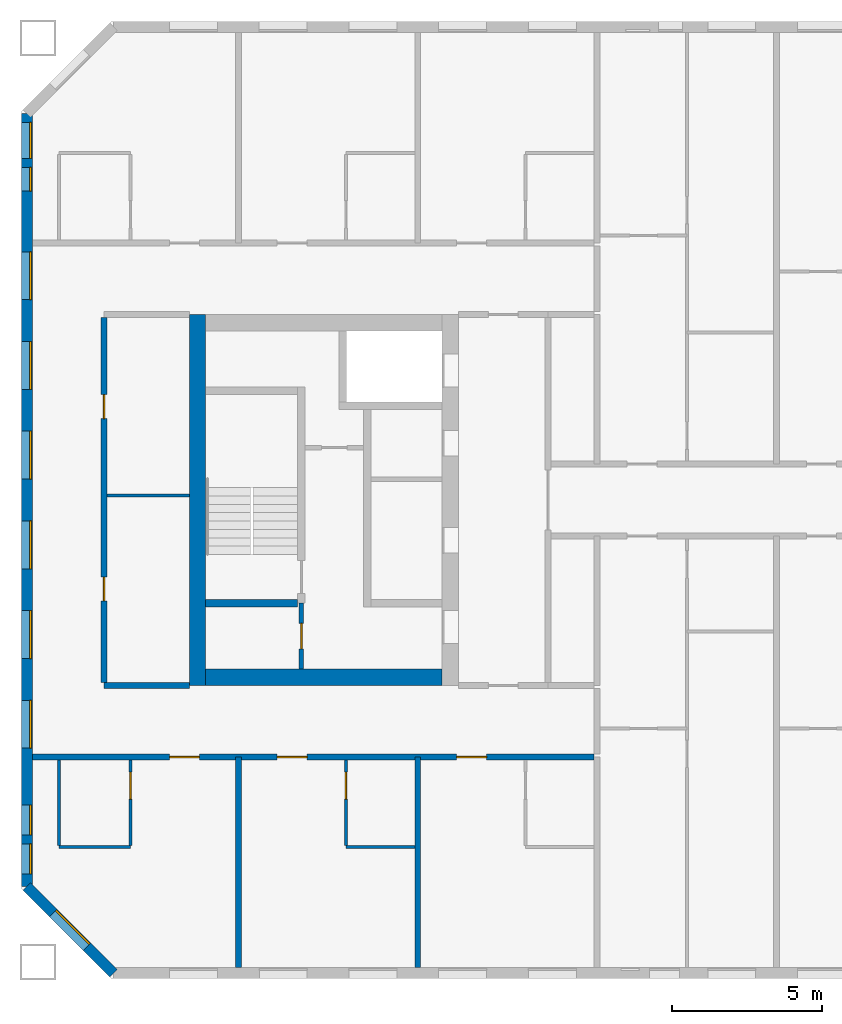
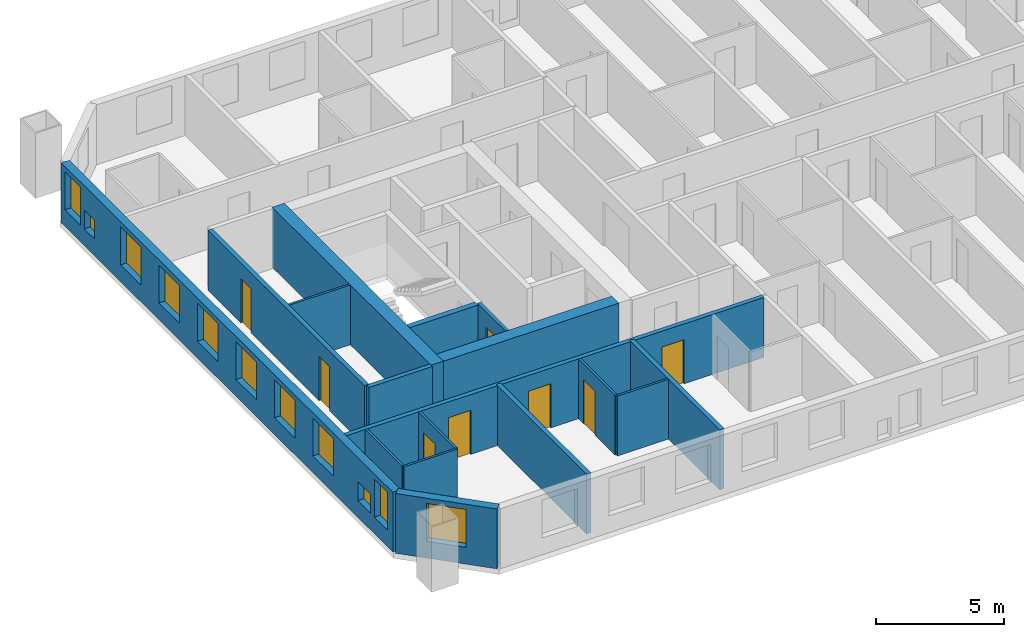
# One storey, part 2 of 16: 17 walls, 11 windows, 8 doors, 19 openings.
"""IFC4 building model written with IfcOpenShell, lengths in metres."""

from ifc_helpers import new_model, si_unit, direction, frame, frame_2d, origin, place, context, subcontext, project, spatial, rectangle, extrude, material, layer, layer_set, type_object, element, fill, save


model = new_model("IFC4")

# Units and contexts
model_context = context("Model", 3, precision=1e-05, world=origin(), true_north=direction((0.0, 1.0)))
body_context = subcontext(model_context, "Body", "Model", "MODEL_VIEW")
ifc_project = project(units=[si_unit("LENGTHUNIT", "METRE"), si_unit("AREAUNIT", "SQUARE_METRE"), si_unit("VOLUMEUNIT", "CUBIC_METRE"), si_unit("PLANEANGLEUNIT", "RADIAN"), si_unit("MASSUNIT", "GRAM", prefix="KILO")], contexts=[model_context])

# Site, building, storey
site_placement = place(None, origin())
site = spatial("IfcSite", under=ifc_project, at=site_placement, CompositionType="ELEMENT")
building_placement = place(site_placement, origin())
building = spatial("IfcBuilding", under=site, at=building_placement, Name="Tuart Gate Housing", CompositionType="ELEMENT")
storey_placement = place(building_placement, frame((0.0, 0.0, 136.10009765625)))
storey = spatial("IfcBuildingStorey", under=building, at=storey_placement, Name="L38", CompositionType="ELEMENT", Elevation=136.10009765625)

# Wall, opening, window
ifc_material_1 = material(Name="Brick", Category="masonry")
ifc_layer_1 = layer(ifc_material_1, 0.360107421875)
ifc_layer_set_1 = layer_set([ifc_layer_1], Name="Brick pier and spandrel wall 360")
wall_type_1 = type_object("IfcWallType", Name="Brick pier and spandrel wall 360", PredefinedType="STANDARD", material=ifc_layer_set_1)
wall_1_placement = place(storey_placement, frame((26.929931640625, 57.07470703125, 0.0), z_axis=(0.0, 0.0, 1.0), x_axis=(0.707106781187, -0.707106781187, 0.0)))
wall_1 = element("IfcWall", 1, at=wall_1_placement, inside=storey, type_object=wall_type_1, Name="External wall A-SW L38", PredefinedType="STANDARD", context=body_context, shape_type="SweptSolid", body=[
    extrude(rectangle(XDim=4.09375, YDim=0.360107421875, at=frame_2d((2.046875, 0.0))), origin(), (0.0, 0.0, 1.0), 2.849853515625),
])
opening_1_placement = place(wall_1_placement, frame((1.2470703125, 0.0, 0.800048828125)))
opening_1 = element("IfcOpeningElement", 2, at=opening_1_placement, cuts=wall_1, Name="Opening W1", PredefinedType="OPENING", context=body_context, shape_type="SweptSolid", body=[
    extrude(rectangle(XDim=1.60009765625, YDim=1.800048828125, at=frame_2d((0.800048828125, 0.89990234375))), frame((0.0, 0.18994140625, 0.0), z_axis=(0.0, -1.0, 0.0), x_axis=(1.0, 0.0, 0.0)), (0.0, 0.0, 1.0), 0.380126953125),
])
ifc_material_2 = material(Name="Aluminium frame with clear glass", Category="aluminium")
window_type_1 = type_object("IfcWindowType", Name="Punched window 1600 x 1800", PartitioningType="SINGLE_PANEL", PredefinedType="WINDOW", material=ifc_material_2)
window_1_placement = place(opening_1_placement, origin())
window_1 = element("IfcWindow", 3, at=window_1_placement, inside=storey, type_object=window_type_1, Name="Window W1", OverallHeight=1.800048828125, OverallWidth=1.60009765625, PartitioningType="SINGLE_PANEL", PredefinedType="WINDOW", context=body_context, shape_type="SweptSolid", body=[
    extrude(rectangle(XDim=1.60009765625, YDim=1.800048828125, at=frame_2d((0.800048828125, 0.89990234375))), frame((0.0, 0.150146484375, 0.0), z_axis=(0.0, -1.0, 0.0), x_axis=(1.0, 0.0, 0.0)), (0.0, 0.0, 1.0), 0.06005859375),
])
fill(opening_1, window_1)

# Wall, openings, windows
wall_2_placement = place(storey_placement, frame((26.929931640625, 82.92529296875, 0.0), z_axis=(0.0, 0.0, 1.0), x_axis=(0.0, -1.0, 0.0)))
wall_2 = element("IfcWall", 4, at=wall_2_placement, inside=storey, type_object=wall_type_1, Name="External wall A-W L38", PredefinedType="STANDARD", context=body_context, shape_type="SweptSolid", body=[
    extrude(rectangle(XDim=25.850830078125, YDim=0.360107421875, at=frame_2d((12.92529296875, 0.0))), origin(), (0.0, 0.0, 1.0), 2.849853515625),
])
opening_2_placement = place(wall_2_placement, frame((0.300048828125, 0.0, 0.800048828125)))
opening_2 = element("IfcOpeningElement", 5, at=opening_2_placement, cuts=wall_2, Name="Opening W1B", PredefinedType="OPENING", context=body_context, shape_type="SweptSolid", body=[
    extrude(rectangle(XDim=1.199951171875, YDim=1.800048828125, at=frame_2d((0.60009765625, 0.89990234375))), frame((0.0, 0.18994140625, 0.0), z_axis=(0.0, -1.0, 0.0), x_axis=(1.0, 0.0, 0.0)), (0.0, 0.0, 1.0), 0.380126953125),
])
opening_3_placement = place(wall_2_placement, frame((4.62548828125, 0.0, 0.800048828125)))
opening_3 = element("IfcOpeningElement", 6, at=opening_3_placement, cuts=wall_2, Name="Opening W1", PredefinedType="OPENING", context=body_context, shape_type="SweptSolid", body=[
    extrude(rectangle(XDim=1.60009765625, YDim=1.800048828125, at=frame_2d((0.800048828125, 0.89990234375))), frame((0.0, 0.18994140625, 0.0), z_axis=(0.0, -1.0, 0.0), x_axis=(1.0, 0.0, 0.0)), (0.0, 0.0, 1.0), 0.380126953125),
])
opening_4_placement = place(wall_2_placement, frame((7.62548828125, 0.0, 0.800048828125)))
opening_4 = element("IfcOpeningElement", 7, at=opening_4_placement, cuts=wall_2, Name="Opening W1", PredefinedType="OPENING", context=body_context, shape_type="SweptSolid", body=[
    extrude(rectangle(XDim=1.60009765625, YDim=1.800048828125, at=frame_2d((0.800048828125, 0.89990234375))), frame((0.0, 0.18994140625, 0.0), z_axis=(0.0, -1.0, 0.0), x_axis=(1.0, 0.0, 0.0)), (0.0, 0.0, 1.0), 0.380126953125),
])
opening_5_placement = place(wall_2_placement, frame((10.62548828125, 0.0, 0.800048828125)))
opening_5 = element("IfcOpeningElement", 8, at=opening_5_placement, cuts=wall_2, Name="Opening W1", PredefinedType="OPENING", context=body_context, shape_type="SweptSolid", body=[
    extrude(rectangle(XDim=1.60009765625, YDim=1.800048828125, at=frame_2d((0.800048828125, 0.89990234375))), frame((0.0, 0.18994140625, 0.0), z_axis=(0.0, -1.0, 0.0), x_axis=(1.0, 0.0, 0.0)), (0.0, 0.0, 1.0), 0.380126953125),
])
opening_6_placement = place(wall_2_placement, frame((13.62548828125, 0.0, 0.800048828125)))
opening_6 = element("IfcOpeningElement", 9, at=opening_6_placement, cuts=wall_2, Name="Opening W1", PredefinedType="OPENING", context=body_context, shape_type="SweptSolid", body=[
    extrude(rectangle(XDim=1.60009765625, YDim=1.800048828125, at=frame_2d((0.800048828125, 0.89990234375))), frame((0.0, 0.18994140625, 0.0), z_axis=(0.0, -1.0, 0.0), x_axis=(1.0, 0.0, 0.0)), (0.0, 0.0, 1.0), 0.380126953125),
])
opening_7_placement = place(wall_2_placement, frame((16.62548828125, 0.0, 0.800048828125)))
opening_7 = element("IfcOpeningElement", 10, at=opening_7_placement, cuts=wall_2, Name="Opening W1", PredefinedType="OPENING", context=body_context, shape_type="SweptSolid", body=[
    extrude(rectangle(XDim=1.60009765625, YDim=1.800048828125, at=frame_2d((0.800048828125, 0.89990234375))), frame((0.0, 0.18994140625, 0.0), z_axis=(0.0, -1.0, 0.0), x_axis=(1.0, 0.0, 0.0)), (0.0, 0.0, 1.0), 0.380126953125),
])
opening_8_placement = place(wall_2_placement, frame((19.62548828125, 0.0, 0.800048828125)))
opening_8 = element("IfcOpeningElement", 11, at=opening_8_placement, cuts=wall_2, Name="Opening W1", PredefinedType="OPENING", context=body_context, shape_type="SweptSolid", body=[
    extrude(rectangle(XDim=1.60009765625, YDim=1.800048828125, at=frame_2d((0.800048828125, 0.89990234375))), frame((0.0, 0.18994140625, 0.0), z_axis=(0.0, -1.0, 0.0), x_axis=(1.0, 0.0, 0.0)), (0.0, 0.0, 1.0), 0.380126953125),
])
opening_9_placement = place(wall_2_placement, frame((23.12548828125, 0.0, 0.800048828125)))
opening_9 = element("IfcOpeningElement", 12, at=opening_9_placement, cuts=wall_2, Name="Opening W1U", PredefinedType="OPENING", context=body_context, shape_type="SweptSolid", body=[
    extrude(rectangle(XDim=1.0, YDim=0.89990234375, at=frame_2d((0.5, 0.449951171875))), frame((0.0, 0.18994140625, 0.0), z_axis=(0.0, -1.0, 0.0), x_axis=(1.0, 0.0, 0.0)), (0.0, 0.0, 1.0), 0.380126953125),
])
opening_10_placement = place(wall_2_placement, frame((1.800048828125, 0.0, 0.800048828125)))
opening_10 = element("IfcOpeningElement", 13, at=opening_10_placement, cuts=wall_2, Name="Opening W1V", PredefinedType="OPENING", context=body_context, shape_type="SweptSolid", body=[
    extrude(rectangle(XDim=0.800048828125, YDim=0.89990234375, at=frame_2d((0.39990234375, 0.449951171875))), frame((0.0, 0.18994140625, 0.0), z_axis=(0.0, -1.0, 0.0), x_axis=(1.0, 0.0, 0.0)), (0.0, 0.0, 1.0), 0.380126953125),
])
opening_11_placement = place(wall_2_placement, frame((24.42529296875, 0.0, 0.800048828125)))
opening_11 = element("IfcOpeningElement", 14, at=opening_11_placement, cuts=wall_2, Name="Opening W1C", PredefinedType="OPENING", context=body_context, shape_type="SweptSolid", body=[
    extrude(rectangle(XDim=1.0, YDim=1.800048828125, at=frame_2d((0.5, 0.89990234375))), frame((0.0, 0.18994140625, 0.0), z_axis=(0.0, -1.0, 0.0), x_axis=(1.0, 0.0, 0.0)), (0.0, 0.0, 1.0), 0.380126953125),
])
ifc_material_3 = material(Name="Aluminium frame with clear glass", Category="aluminium")
window_type_2 = type_object("IfcWindowType", Name="Punched window 1000 x 1800", PartitioningType="SINGLE_PANEL", PredefinedType="WINDOW", material=ifc_material_3)
window_2_placement = place(opening_11_placement, origin())
window_2 = element("IfcWindow", 15, at=window_2_placement, inside=storey, type_object=window_type_2, Name="Window W1C", OverallHeight=1.800048828125, OverallWidth=1.0, PartitioningType="SINGLE_PANEL", PredefinedType="WINDOW", context=body_context, shape_type="SweptSolid", body=[
    extrude(rectangle(XDim=1.0, YDim=1.800048828125, at=frame_2d((0.5, 0.89990234375))), frame((0.0, 0.150146484375, 0.0), z_axis=(0.0, -1.0, 0.0), x_axis=(1.0, 0.0, 0.0)), (0.0, 0.0, 1.0), 0.06005859375),
])
fill(opening_11, window_2)
ifc_material_4 = material(Name="Aluminium frame with clear glass", Category="aluminium")
window_type_3 = type_object("IfcWindowType", Name="Punched window 1000 x 900", PartitioningType="SINGLE_PANEL", PredefinedType="WINDOW", material=ifc_material_4)
window_3_placement = place(opening_9_placement, origin())
window_3 = element("IfcWindow", 16, at=window_3_placement, inside=storey, type_object=window_type_3, Name="Window W1U", OverallHeight=0.89990234375, OverallWidth=1.0, PartitioningType="SINGLE_PANEL", PredefinedType="WINDOW", context=body_context, shape_type="SweptSolid", body=[
    extrude(rectangle(XDim=1.0, YDim=0.89990234375, at=frame_2d((0.5, 0.449951171875))), frame((0.0, 0.150146484375, 0.0), z_axis=(0.0, -1.0, 0.0), x_axis=(1.0, 0.0, 0.0)), (0.0, 0.0, 1.0), 0.06005859375),
])
fill(opening_9, window_3)
ifc_material_5 = material(Name="Aluminium frame with clear glass", Category="aluminium")
window_type_4 = type_object("IfcWindowType", Name="Punched window 1200 x 1800", PartitioningType="SINGLE_PANEL", PredefinedType="WINDOW", material=ifc_material_5)
window_4_placement = place(opening_2_placement, origin())
window_4 = element("IfcWindow", 17, at=window_4_placement, inside=storey, type_object=window_type_4, Name="Window W1B", OverallHeight=1.800048828125, OverallWidth=1.199951171875, PartitioningType="SINGLE_PANEL", PredefinedType="WINDOW", context=body_context, shape_type="SweptSolid", body=[
    extrude(rectangle(XDim=1.199951171875, YDim=1.800048828125, at=frame_2d((0.60009765625, 0.89990234375))), frame((0.0, 0.150146484375, 0.0), z_axis=(0.0, -1.0, 0.0), x_axis=(1.0, 0.0, 0.0)), (0.0, 0.0, 1.0), 0.06005859375),
])
fill(opening_2, window_4)
window_5_placement = place(opening_3_placement, origin())
window_5 = element("IfcWindow", 18, at=window_5_placement, inside=storey, type_object=window_type_1, Name="Window W1", OverallHeight=1.800048828125, OverallWidth=1.60009765625, PartitioningType="SINGLE_PANEL", PredefinedType="WINDOW", context=body_context, shape_type="SweptSolid", body=[
    extrude(rectangle(XDim=1.60009765625, YDim=1.800048828125, at=frame_2d((0.800048828125, 0.89990234375))), frame((0.0, 0.150146484375, 0.0), z_axis=(0.0, -1.0, 0.0), x_axis=(1.0, 0.0, 0.0)), (0.0, 0.0, 1.0), 0.06005859375),
])
fill(opening_3, window_5)
window_6_placement = place(opening_4_placement, origin())
window_6 = element("IfcWindow", 19, at=window_6_placement, inside=storey, type_object=window_type_1, Name="Window W1", OverallHeight=1.800048828125, OverallWidth=1.60009765625, PartitioningType="SINGLE_PANEL", PredefinedType="WINDOW", context=body_context, shape_type="SweptSolid", body=[
    extrude(rectangle(XDim=1.60009765625, YDim=1.800048828125, at=frame_2d((0.800048828125, 0.89990234375))), frame((0.0, 0.150146484375, 0.0), z_axis=(0.0, -1.0, 0.0), x_axis=(1.0, 0.0, 0.0)), (0.0, 0.0, 1.0), 0.06005859375),
])
fill(opening_4, window_6)
window_7_placement = place(opening_5_placement, origin())
window_7 = element("IfcWindow", 20, at=window_7_placement, inside=storey, type_object=window_type_1, Name="Window W1", OverallHeight=1.800048828125, OverallWidth=1.60009765625, PartitioningType="SINGLE_PANEL", PredefinedType="WINDOW", context=body_context, shape_type="SweptSolid", body=[
    extrude(rectangle(XDim=1.60009765625, YDim=1.800048828125, at=frame_2d((0.800048828125, 0.89990234375))), frame((0.0, 0.150146484375, 0.0), z_axis=(0.0, -1.0, 0.0), x_axis=(1.0, 0.0, 0.0)), (0.0, 0.0, 1.0), 0.06005859375),
])
fill(opening_5, window_7)
window_8_placement = place(opening_6_placement, origin())
window_8 = element("IfcWindow", 21, at=window_8_placement, inside=storey, type_object=window_type_1, Name="Window W1", OverallHeight=1.800048828125, OverallWidth=1.60009765625, PartitioningType="SINGLE_PANEL", PredefinedType="WINDOW", context=body_context, shape_type="SweptSolid", body=[
    extrude(rectangle(XDim=1.60009765625, YDim=1.800048828125, at=frame_2d((0.800048828125, 0.89990234375))), frame((0.0, 0.150146484375, 0.0), z_axis=(0.0, -1.0, 0.0), x_axis=(1.0, 0.0, 0.0)), (0.0, 0.0, 1.0), 0.06005859375),
])
fill(opening_6, window_8)
window_9_placement = place(opening_7_placement, origin())
window_9 = element("IfcWindow", 22, at=window_9_placement, inside=storey, type_object=window_type_1, Name="Window W1", OverallHeight=1.800048828125, OverallWidth=1.60009765625, PartitioningType="SINGLE_PANEL", PredefinedType="WINDOW", context=body_context, shape_type="SweptSolid", body=[
    extrude(rectangle(XDim=1.60009765625, YDim=1.800048828125, at=frame_2d((0.800048828125, 0.89990234375))), frame((0.0, 0.150146484375, 0.0), z_axis=(0.0, -1.0, 0.0), x_axis=(1.0, 0.0, 0.0)), (0.0, 0.0, 1.0), 0.06005859375),
])
fill(opening_7, window_9)
window_10_placement = place(opening_8_placement, origin())
window_10 = element("IfcWindow", 23, at=window_10_placement, inside=storey, type_object=window_type_1, Name="Window W1", OverallHeight=1.800048828125, OverallWidth=1.60009765625, PartitioningType="SINGLE_PANEL", PredefinedType="WINDOW", context=body_context, shape_type="SweptSolid", body=[
    extrude(rectangle(XDim=1.60009765625, YDim=1.800048828125, at=frame_2d((0.800048828125, 0.89990234375))), frame((0.0, 0.150146484375, 0.0), z_axis=(0.0, -1.0, 0.0), x_axis=(1.0, 0.0, 0.0)), (0.0, 0.0, 1.0), 0.06005859375),
])
fill(opening_8, window_10)
ifc_material_6 = material(Name="Aluminium frame with clear glass", Category="aluminium")
window_type_5 = type_object("IfcWindowType", Name="Punched window 800 x 900", PartitioningType="SINGLE_PANEL", PredefinedType="WINDOW", material=ifc_material_6)
window_11_placement = place(opening_10_placement, origin())
window_11 = element("IfcWindow", 24, at=window_11_placement, inside=storey, type_object=window_type_5, Name="Window W1V", OverallHeight=0.89990234375, OverallWidth=0.800048828125, PartitioningType="SINGLE_PANEL", PredefinedType="WINDOW", context=body_context, shape_type="SweptSolid", body=[
    extrude(rectangle(XDim=0.800048828125, YDim=0.89990234375, at=frame_2d((0.39990234375, 0.449951171875))), frame((0.0, 0.150146484375, 0.0), z_axis=(0.0, -1.0, 0.0), x_axis=(1.0, 0.0, 0.0)), (0.0, 0.0, 1.0), 0.06005859375),
])
fill(opening_10, window_11)

# Wall, opening, door
ifc_material_7 = material(Name="Plasterboard partition")
ifc_layer_2 = layer(ifc_material_7, 0.14990234375)
ifc_layer_set_2 = layer_set([ifc_layer_2], Name="Core partition 150")
wall_type_2 = type_object("IfcWallType", Name="Core partition 150", PredefinedType="PARTITIONING", material=ifc_layer_set_2)
wall_3_placement = place(storey_placement, frame((36.110107421875, 66.550048828125, 0.0), z_axis=(0.0, 0.0, 1.0), x_axis=(0.0, -1.0, 0.0)))
wall_3 = element("IfcWall", 25, at=wall_3_placement, inside=storey, type_object=wall_type_2, Name="Core partition AK.10", PredefinedType="PARTITIONING", context=body_context, shape_type="SweptSolid", body=[
    extrude(rectangle(XDim=2.199951171875, YDim=0.14990234375, at=frame_2d((1.10009765625, 0.0))), origin(), (0.0, 0.0, 1.0), 2.849853515625),
])
opening_12_placement = place(wall_3_placement, frame((0.675048828125, 0.0, 0.0)))
opening_12 = element("IfcOpeningElement", 26, at=opening_12_placement, cuts=wall_3, Name="Opening D1441", PredefinedType="OPENING", context=body_context, shape_type="SweptSolid", body=[
    extrude(rectangle(XDim=0.85009765625, YDim=2.10009765625, at=frame_2d((0.425048828125, 1.050048828125))), frame((0.0, 0.0849609375, 0.0), z_axis=(0.0, -1.0, 0.0), x_axis=(1.0, 0.0, 0.0)), (0.0, 0.0, 1.0), 0.169921875),
])
ifc_material_8 = material(Name="Steel fire door", Category="steel")
door_type_1 = type_object("IfcDoorType", Name="Service door 850 x 2100 RH", OperationType="SINGLE_SWING_RIGHT", PredefinedType="DOOR", material=ifc_material_8)
door_1_placement = place(opening_12_placement, frame((0.85009765625, 0.0, 0.0), z_axis=(0.0, 0.0, 1.0), x_axis=(-1.0, 0.0, 0.0)))
door_1 = element("IfcDoor", 27, at=door_1_placement, inside=storey, type_object=door_type_1, Name="Service room door AK.ST", OperationType="SINGLE_SWING_RIGHT", OverallHeight=2.10009765625, OverallWidth=0.85009765625, PredefinedType="DOOR", context=body_context, shape_type="SweptSolid", body=[
    extrude(rectangle(XDim=0.85009765625, YDim=2.10009765625, at=frame_2d((0.425048828125, 1.050048828125))), frame((0.0, 0.025146484375, 0.0), z_axis=(0.0, -1.0, 0.0), x_axis=(1.0, 0.0, 0.0)), (0.0, 0.0, 1.0), 0.050048828125),
])
fill(opening_12, door_1)

# Walls
ifc_material_9 = material(Name="Concrete C50", Category="concrete")
ifc_layer_3 = layer(ifc_material_9, 0.25)
ifc_layer_set_3 = layer_set([ifc_layer_3], Name="Core wall 250 C50")
wall_type_3 = type_object("IfcWallType", Name="Core wall 250 C50", PredefinedType="SHEAR", material=ifc_layer_set_3)
wall_4_placement = place(storey_placement, frame((35.985107421875, 66.550048828125, 0.0), z_axis=(0.0, 0.0, 1.0), x_axis=(-1.0, 0.0, 0.0)))
element("IfcWall", 28, at=wall_4_placement, inside=storey, type_object=wall_type_3, Name="Core wall AK.6", PredefinedType="SHEAR", context=body_context, shape_type="SweptSolid", body=[
    extrude(rectangle(XDim=3.0751953125, YDim=0.25, at=frame_2d((1.53759765625, 0.0))), origin(), (0.0, 0.0, 1.0), 2.849853515625),
])
ifc_material_10 = material(Name="Concrete C50", Category="concrete")
ifc_layer_4 = layer(ifc_material_10, 0.550048828125)
ifc_layer_set_4 = layer_set([ifc_layer_4], Name="Core wall 550 C50")
wall_type_4 = type_object("IfcWallType", Name="Core wall 550 C50", PredefinedType="SHEAR", material=ifc_layer_set_4)
wall_5_placement = place(storey_placement, frame((32.635009765625, 76.199951171875, 0.0), z_axis=(0.0, 0.0, 1.0), x_axis=(0.0, -1.0, 0.0)))
element("IfcWall", 29, at=wall_5_placement, inside=storey, type_object=wall_type_4, Name="Core wall AK back", PredefinedType="SHEAR", context=body_context, shape_type="SweptSolid", body=[
    extrude(rectangle(XDim=12.39990234375, YDim=0.550048828125, at=frame_2d((6.199951171875, 0.0))), origin(), (0.0, 0.0, 1.0), 2.849853515625),
])
wall_6_placement = place(storey_placement, frame((40.81005859375, 64.074951171875, 0.0), z_axis=(0.0, 0.0, 1.0), x_axis=(-1.0, 0.0, 0.0)))
element("IfcWall", 30, at=wall_6_placement, inside=storey, type_object=wall_type_4, Name="Core wall AK north", PredefinedType="SHEAR", context=body_context, shape_type="SweptSolid", body=[
    extrude(rectangle(XDim=7.900146484375, YDim=0.550048828125, at=frame_2d((3.9501953125, 0.0))), origin(), (0.0, 0.0, 1.0), 2.849853515625),
])

# Wall, openings, doors
ifc_material_11 = material(Name="Concrete masonry 15 MPa", Category="masonry")
ifc_layer_5 = layer(ifc_material_11, 0.199951171875)
ifc_layer_set_5 = layer_set([ifc_layer_5], Name="Corridor wall masonry 200")
wall_type_5 = type_object("IfcWallType", Name="Corridor wall masonry 200", PredefinedType="PARTITIONING", material=ifc_layer_set_5)
wall_7_placement = place(storey_placement, frame((27.110107421875, 61.39990234375, 0.0), z_axis=(0.0, 0.0, 1.0), x_axis=(1.0, 0.0, 0.0)))
wall_7 = element("IfcWall", 31, at=wall_7_placement, inside=storey, type_object=wall_type_5, Name="Corridor wall masonry 200", PredefinedType="PARTITIONING", context=body_context, shape_type="SweptSolid", body=[
    extrude(rectangle(XDim=18.789794921875, YDim=0.199951171875, at=frame_2d((9.39501953125, 0.0))), origin(), (0.0, 0.0, 1.0), 2.849853515625),
])
opening_13_placement = place(wall_7_placement, frame((14.18994140625, 0.0, 0.0)))
opening_13 = element("IfcOpeningElement", 32, at=opening_13_placement, cuts=wall_7, Name="Opening D1453", PredefinedType="OPENING", context=body_context, shape_type="SweptSolid", body=[
    extrude(rectangle(XDim=1.0, YDim=2.10009765625, at=frame_2d((0.5, 1.050048828125))), frame((0.0, 0.10986328125, 0.0), z_axis=(0.0, -1.0, 0.0), x_axis=(1.0, 0.0, 0.0)), (0.0, 0.0, 1.0), 0.219970703125),
])
opening_14_placement = place(wall_7_placement, frame((8.18994140625, 0.0, 0.0)))
opening_14 = element("IfcOpeningElement", 33, at=opening_14_placement, cuts=wall_7, Name="Opening D1454", PredefinedType="OPENING", context=body_context, shape_type="SweptSolid", body=[
    extrude(rectangle(XDim=1.0, YDim=2.10009765625, at=frame_2d((0.5, 1.050048828125))), frame((0.0, 0.10986328125, 0.0), z_axis=(0.0, -1.0, 0.0), x_axis=(1.0, 0.0, 0.0)), (0.0, 0.0, 1.0), 0.219970703125),
])
opening_15_placement = place(wall_7_placement, frame((4.590087890625, 0.0, 0.0)))
opening_15 = element("IfcOpeningElement", 34, at=opening_15_placement, cuts=wall_7, Name="Opening D1455", PredefinedType="OPENING", context=body_context, shape_type="SweptSolid", body=[
    extrude(rectangle(XDim=1.0, YDim=2.10009765625, at=frame_2d((0.5, 1.050048828125))), frame((0.0, 0.10986328125, 0.0), z_axis=(0.0, -1.0, 0.0), x_axis=(1.0, 0.0, 0.0)), (0.0, 0.0, 1.0), 0.219970703125),
])
ifc_material_12 = material(Name="Timber door leaf in steel frame", Category="steel")
door_type_2 = type_object("IfcDoorType", Name="Flat entrance door 1000 RH", OperationType="SINGLE_SWING_RIGHT", PredefinedType="DOOR", material=ifc_material_12)
door_2_placement = place(opening_13_placement, frame((1.0, 0.0, 0.0), z_axis=(0.0, 0.0, 1.0), x_axis=(-1.0, 0.0, 0.0)))
door_2 = element("IfcDoor", 35, at=door_2_placement, inside=storey, type_object=door_type_2, Name="Flat entrance door", OperationType="SINGLE_SWING_RIGHT", OverallHeight=2.10009765625, OverallWidth=1.0, PredefinedType="DOOR", context=body_context, shape_type="SweptSolid", body=[
    extrude(rectangle(XDim=1.0, YDim=2.10009765625, at=frame_2d((0.5, 1.050048828125))), frame((0.0, 0.025146484375, 0.0), z_axis=(0.0, -1.0, 0.0), x_axis=(1.0, 0.0, 0.0)), (0.0, 0.0, 1.0), 0.050048828125),
])
fill(opening_13, door_2)
door_3_placement = place(opening_14_placement, frame((1.0, 0.0, 0.0), z_axis=(0.0, 0.0, 1.0), x_axis=(-1.0, 0.0, 0.0)))
door_3 = element("IfcDoor", 36, at=door_3_placement, inside=storey, type_object=door_type_2, Name="Flat entrance door", OperationType="SINGLE_SWING_RIGHT", OverallHeight=2.10009765625, OverallWidth=1.0, PredefinedType="DOOR", context=body_context, shape_type="SweptSolid", body=[
    extrude(rectangle(XDim=1.0, YDim=2.10009765625, at=frame_2d((0.5, 1.050048828125))), frame((0.0, 0.025146484375, 0.0), z_axis=(0.0, -1.0, 0.0), x_axis=(1.0, 0.0, 0.0)), (0.0, 0.0, 1.0), 0.050048828125),
])
fill(opening_14, door_3)
door_4_placement = place(opening_15_placement, frame((1.0, 0.0, 0.0), z_axis=(0.0, 0.0, 1.0), x_axis=(-1.0, 0.0, 0.0)))
door_4 = element("IfcDoor", 37, at=door_4_placement, inside=storey, type_object=door_type_2, Name="Flat entrance door", OperationType="SINGLE_SWING_RIGHT", OverallHeight=2.10009765625, OverallWidth=1.0, PredefinedType="DOOR", context=body_context, shape_type="SweptSolid", body=[
    extrude(rectangle(XDim=1.0, YDim=2.10009765625, at=frame_2d((0.5, 1.050048828125))), frame((0.0, 0.025146484375, 0.0), z_axis=(0.0, -1.0, 0.0), x_axis=(1.0, 0.0, 0.0)), (0.0, 0.0, 1.0), 0.050048828125),
])
fill(opening_15, door_4)

# Wall
wall_8_placement = place(storey_placement, frame((29.510009765625, 63.800048828125, 0.0), z_axis=(0.0, 0.0, 1.0), x_axis=(1.0, 0.0, 0.0)))
element("IfcWall", 38, at=wall_8_placement, inside=storey, type_object=wall_type_5, Name="Corridor wall masonry 200", PredefinedType="PARTITIONING", context=body_context, shape_type="SweptSolid", body=[
    extrude(rectangle(XDim=2.85009765625, YDim=0.199951171875, at=frame_2d((1.425048828125, 0.0))), origin(), (0.0, 0.0, 1.0), 2.849853515625),
])

# Wall, openings, doors
wall_9_placement = place(storey_placement, frame((29.510009765625, 63.89990234375, 0.0), z_axis=(0.0, 0.0, 1.0), x_axis=(0.0, 1.0, 0.0)))
wall_9 = element("IfcWall", 39, at=wall_9_placement, inside=storey, type_object=wall_type_5, Name="Corridor wall masonry 200", PredefinedType="PARTITIONING", context=body_context, shape_type="SweptSolid", body=[
    extrude(rectangle(XDim=12.2001953125, YDim=0.199951171875, at=frame_2d((6.10009765625, 0.0))), origin(), (0.0, 0.0, 1.0), 2.849853515625),
])
opening_16_placement = place(wall_9_placement, frame((2.72509765625, 0.0, 0.0)))
opening_16 = element("IfcOpeningElement", 40, at=opening_16_placement, cuts=wall_9, Name="Opening D1429", PredefinedType="OPENING", context=body_context, shape_type="SweptSolid", body=[
    extrude(rectangle(XDim=0.800048828125, YDim=2.10009765625, at=frame_2d((0.39990234375, 1.050048828125))), frame((0.0, 0.10986328125, 0.0), z_axis=(0.0, -1.0, 0.0), x_axis=(1.0, 0.0, 0.0)), (0.0, 0.0, 1.0), 0.219970703125),
])
opening_17_placement = place(wall_9_placement, frame((8.824951171875, 0.0, 0.0)))
opening_17 = element("IfcOpeningElement", 41, at=opening_17_placement, cuts=wall_9, Name="Opening D1430", PredefinedType="OPENING", context=body_context, shape_type="SweptSolid", body=[
    extrude(rectangle(XDim=0.800048828125, YDim=2.10009765625, at=frame_2d((0.39990234375, 1.050048828125))), frame((0.0, 0.10986328125, 0.0), z_axis=(0.0, -1.0, 0.0), x_axis=(1.0, 0.0, 0.0)), (0.0, 0.0, 1.0), 0.219970703125),
])
ifc_material_13 = material(Name="Timber door leaf in steel frame", Category="steel")
door_type_3 = type_object("IfcDoorType", Name="Store door 800", OperationType="SINGLE_SWING_LEFT", PredefinedType="DOOR", material=ifc_material_13)
door_5_placement = place(opening_16_placement, frame((0.800048828125, 0.0, 0.0), z_axis=(0.0, 0.0, 1.0), x_axis=(-1.0, 0.0, 0.0)))
door_5 = element("IfcDoor", 42, at=door_5_placement, inside=storey, type_object=door_type_3, Name="Store door", OperationType="SINGLE_SWING_LEFT", OverallHeight=2.10009765625, OverallWidth=0.800048828125, PredefinedType="DOOR", context=body_context, shape_type="SweptSolid", body=[
    extrude(rectangle(XDim=0.800048828125, YDim=2.10009765625, at=frame_2d((0.400146484375, 1.050048828125))), frame((0.0, 0.025146484375, 0.0), z_axis=(0.0, -1.0, 0.0), x_axis=(1.0, 0.0, 0.0)), (0.0, 0.0, 1.0), 0.050048828125),
])
fill(opening_16, door_5)
ifc_material_14 = material(Name="Timber door leaf in steel frame", Category="steel")
door_type_4 = type_object("IfcDoorType", Name="Store door 800 RH", OperationType="SINGLE_SWING_RIGHT", PredefinedType="DOOR", material=ifc_material_14)
door_6_placement = place(opening_17_placement, frame((0.800048828125, 0.0, 0.0), z_axis=(0.0, 0.0, 1.0), x_axis=(-1.0, 0.0, 0.0)))
door_6 = element("IfcDoor", 43, at=door_6_placement, inside=storey, type_object=door_type_4, Name="Store door", OperationType="SINGLE_SWING_RIGHT", OverallHeight=2.10009765625, OverallWidth=0.800048828125, PredefinedType="DOOR", context=body_context, shape_type="SweptSolid", body=[
    extrude(rectangle(XDim=0.800048828125, YDim=2.10009765625, at=frame_2d((0.400146484375, 1.050048828125))), frame((0.0, 0.025146484375, 0.0), z_axis=(0.0, -1.0, 0.0), x_axis=(1.0, 0.0, 0.0)), (0.0, 0.0, 1.0), 0.050048828125),
])
fill(opening_17, door_6)

# Walls
ifc_material_15 = material(Name="Gypsum board on steel studs", Category="steel")
ifc_layer_6 = layer(ifc_material_15, 0.10009765625)
ifc_layer_set_6 = layer_set([ifc_layer_6], Name="Partition 100")
wall_type_6 = type_object("IfcWallType", Name="Partition 100", PredefinedType="PARTITIONING", material=ifc_layer_set_6)
wall_10_placement = place(storey_placement, frame((28.0, 58.39990234375, 0.0), z_axis=(0.0, 0.0, 1.0), x_axis=(1.0, 0.0, 0.0)))
element("IfcWall", 44, at=wall_10_placement, inside=storey, type_object=wall_type_6, Name="Partition 100", PredefinedType="PARTITIONING", context=body_context, shape_type="SweptSolid", body=[
    extrude(rectangle(XDim=2.39990234375, YDim=0.10009765625, at=frame_2d((1.199951171875, 0.0))), origin(), (0.0, 0.0, 1.0), 2.849853515625),
])
wall_11_placement = place(storey_placement, frame((37.60009765625, 58.39990234375, 0.0), z_axis=(0.0, 0.0, 1.0), x_axis=(1.0, 0.0, 0.0)))
element("IfcWall", 45, at=wall_11_placement, inside=storey, type_object=wall_type_6, Name="Partition 100", PredefinedType="PARTITIONING", context=body_context, shape_type="SweptSolid", body=[
    extrude(rectangle(XDim=2.2998046875, YDim=0.10009765625, at=frame_2d((1.14990234375, 0.0))), origin(), (0.0, 0.0, 1.0), 2.849853515625),
])
wall_12_placement = place(storey_placement, frame((29.610107421875, 70.14990234375, 0.0), z_axis=(0.0, 0.0, 1.0), x_axis=(1.0, 0.0, 0.0)))
element("IfcWall", 46, at=wall_12_placement, inside=storey, type_object=wall_type_6, Name="Partition 100", PredefinedType="PARTITIONING", context=body_context, shape_type="SweptSolid", body=[
    extrude(rectangle(XDim=2.75, YDim=0.10009765625, at=frame_2d((1.375, 0.0))), origin(), (0.0, 0.0, 1.0), 2.849853515625),
])
wall_13_placement = place(storey_placement, frame((28.0, 58.449951171875, 0.0), z_axis=(0.0, 0.0, 1.0), x_axis=(0.0, 1.0, 0.0)))
element("IfcWall", 47, at=wall_13_placement, inside=storey, type_object=wall_type_6, Name="Partition 100", PredefinedType="PARTITIONING", context=body_context, shape_type="SweptSolid", body=[
    extrude(rectangle(XDim=2.85009765625, YDim=0.10009765625, at=frame_2d((1.425048828125, 0.0))), origin(), (0.0, 0.0, 1.0), 2.849853515625),
])

# Wall, opening, door
wall_14_placement = place(storey_placement, frame((30.39990234375, 58.449951171875, 0.0), z_axis=(0.0, 0.0, 1.0), x_axis=(0.0, 1.0, 0.0)))
wall_14 = element("IfcWall", 48, at=wall_14_placement, inside=storey, type_object=wall_type_6, Name="Partition 100", PredefinedType="PARTITIONING", context=body_context, shape_type="SweptSolid", body=[
    extrude(rectangle(XDim=2.85009765625, YDim=0.10009765625, at=frame_2d((1.425048828125, 0.0))), origin(), (0.0, 0.0, 1.0), 2.849853515625),
])
opening_18_placement = place(wall_14_placement, frame((1.550048828125, 0.0, 0.0)))
opening_18 = element("IfcOpeningElement", 49, at=opening_18_placement, cuts=wall_14, Name="Opening D1458", PredefinedType="OPENING", context=body_context, shape_type="SweptSolid", body=[
    extrude(rectangle(XDim=0.89990234375, YDim=2.10009765625, at=frame_2d((0.449951171875, 1.050048828125))), frame((0.0, 0.06005859375, 0.0), z_axis=(0.0, -1.0, 0.0), x_axis=(1.0, 0.0, 0.0)), (0.0, 0.0, 1.0), 0.1201171875),
])
ifc_material_16 = material(Name="Timber door leaf in steel frame", Category="steel")
door_type_5 = type_object("IfcDoorType", Name="Bathroom door 900 RH", OperationType="SINGLE_SWING_RIGHT", PredefinedType="DOOR", material=ifc_material_16)
door_7_placement = place(opening_18_placement, origin())
door_7 = element("IfcDoor", 50, at=door_7_placement, inside=storey, type_object=door_type_5, Name="Bathroom door", OperationType="SINGLE_SWING_RIGHT", OverallHeight=2.10009765625, OverallWidth=0.89990234375, PredefinedType="DOOR", context=body_context, shape_type="SweptSolid", body=[
    extrude(rectangle(XDim=0.89990234375, YDim=2.10009765625, at=frame_2d((0.449951171875, 1.050048828125))), frame((0.0, 0.02490234375, 0.0), z_axis=(0.0, -1.0, 0.0), x_axis=(1.0, 0.0, 0.0)), (0.0, 0.0, 1.0), 0.050048828125),
])
fill(opening_18, door_7)

wall_15_placement = place(storey_placement, frame((37.60009765625, 58.449951171875, 0.0), z_axis=(0.0, 0.0, 1.0), x_axis=(0.0, 1.0, 0.0)))
wall_15 = element("IfcWall", 51, at=wall_15_placement, inside=storey, type_object=wall_type_6, Name="Partition 100", PredefinedType="PARTITIONING", context=body_context, shape_type="SweptSolid", body=[
    extrude(rectangle(XDim=2.85009765625, YDim=0.10009765625, at=frame_2d((1.425048828125, 0.0))), origin(), (0.0, 0.0, 1.0), 2.849853515625),
])
opening_19_placement = place(wall_15_placement, frame((1.550048828125, 0.0, 0.0)))
opening_19 = element("IfcOpeningElement", 52, at=opening_19_placement, cuts=wall_15, Name="Opening D1459", PredefinedType="OPENING", context=body_context, shape_type="SweptSolid", body=[
    extrude(rectangle(XDim=0.89990234375, YDim=2.10009765625, at=frame_2d((0.449951171875, 1.050048828125))), frame((0.0, 0.06005859375, 0.0), z_axis=(0.0, -1.0, 0.0), x_axis=(1.0, 0.0, 0.0)), (0.0, 0.0, 1.0), 0.1201171875),
])
ifc_material_17 = material(Name="Timber door leaf in steel frame", Category="steel")
door_type_6 = type_object("IfcDoorType", Name="Bathroom door 900", OperationType="SINGLE_SWING_LEFT", PredefinedType="DOOR", material=ifc_material_17)
door_8_placement = place(opening_19_placement, frame((0.89990234375, 0.0, 0.0), z_axis=(0.0, 0.0, 1.0), x_axis=(-1.0, 0.0, 0.0)))
door_8 = element("IfcDoor", 53, at=door_8_placement, inside=storey, type_object=door_type_6, Name="Bathroom door", OperationType="SINGLE_SWING_LEFT", OverallHeight=2.10009765625, OverallWidth=0.89990234375, PredefinedType="DOOR", context=body_context, shape_type="SweptSolid", body=[
    extrude(rectangle(XDim=0.89990234375, YDim=2.10009765625, at=frame_2d((0.449951171875, 1.050048828125))), frame((0.0, 0.025146484375, 0.0), z_axis=(0.0, -1.0, 0.0), x_axis=(1.0, 0.0, 0.0)), (0.0, 0.0, 1.0), 0.050048828125),
])
fill(opening_19, door_8)

# Walls
ifc_material_18 = material(Name="Concrete C40", Category="concrete")
ifc_layer_7 = layer(ifc_material_18, 0.199951171875)
ifc_layer_set_7 = layer_set([ifc_layer_7], Name="Party wall concrete C40 200")
wall_type_7 = type_object("IfcWallType", Name="Party wall concrete C40 200", PredefinedType="SOLIDWALL", material=ifc_layer_set_7)
for number, where, z_axis, x_axis, name in (
    (54, (34.0, 54.360107421875, 0.0), (0.0, 0.0, 1.0), (0.0, 1.0, 0.0), "Party wall concrete C40 200"),
    (55, (40.0, 54.360107421875, 0.0), (0.0, 0.0, 1.0), (0.0, 1.0, 0.0), "Party wall concrete C40 200"),
):
    element("IfcWall", number, at=place(storey_placement, frame(where, z_axis=z_axis, x_axis=x_axis)), inside=storey, type_object=wall_type_7, Name=name, PredefinedType="SOLIDWALL", context=body_context, shape_type="SweptSolid", body=[
        extrude(rectangle(XDim=7.039794921875, YDim=0.199951171875, at=frame_2d((3.52001953125, 0.0))), origin(), (0.0, 0.0, 1.0), 2.849853515625),
    ])

save(model, "model.ifc")
